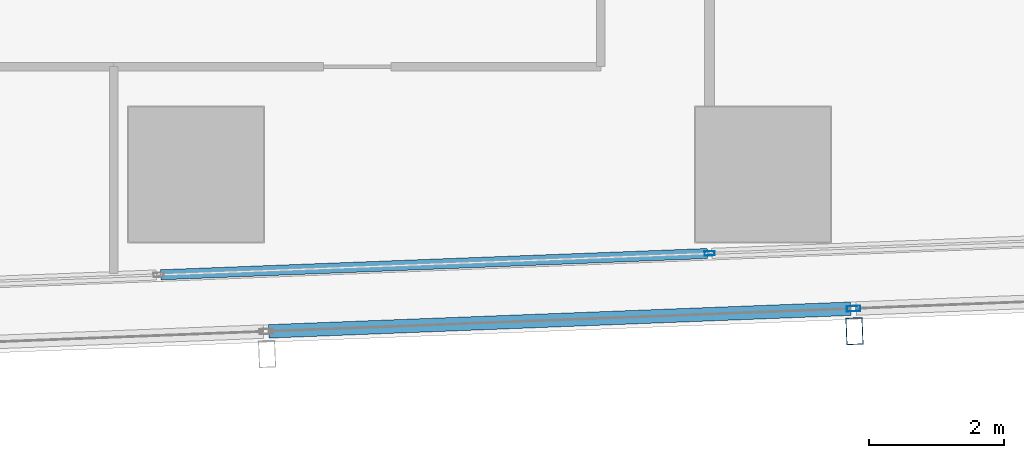
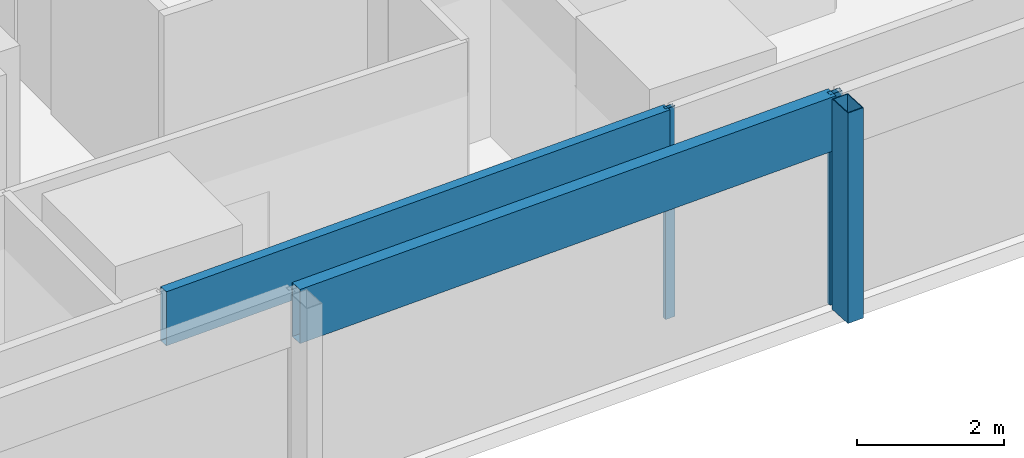
# One storey, part 11 of 39: 5 members, 2 elements without a shape of their own.
"""IFC4 building model written with IfcOpenShell, lengths in metres."""

from ifc_helpers import new_model, si_unit, direction, frame, origin, origin_2d, place, context, subcontext, project, spatial, hollow_rectangle, extrude, material, material_profile, profile_set, type_object, element, aggregate, save


model = new_model("IFC4")

# Units and contexts
model_context = context("Model", 3, precision=1e-05, world=origin(), true_north=direction((0.0, 1.0)))
body_context = subcontext(model_context, "Body", "Model", "MODEL_VIEW")
ifc_project = project(units=[si_unit("LENGTHUNIT", "METRE"), si_unit("AREAUNIT", "SQUARE_METRE"), si_unit("VOLUMEUNIT", "CUBIC_METRE"), si_unit("PLANEANGLEUNIT", "RADIAN"), si_unit("MASSUNIT", "GRAM", prefix="KILO")], contexts=[model_context])

# Site, building, storey
site_placement = place(None, origin())
site = spatial("IfcSite", under=ifc_project, at=site_placement, CompositionType="ELEMENT")
building_placement = place(site_placement, origin())
building = spatial("IfcBuilding", under=site, at=building_placement, Name="Rekha Terrace Tower", CompositionType="ELEMENT")
storey_placement = place(building_placement, frame((0.0, 0.0, 151.550048828125)))
storey = spatial("IfcBuildingStorey", under=building, at=storey_placement, Name="L38", CompositionType="ELEMENT", Elevation=151.550048828125)

# Curtain wall, member
ifc_material_1 = material(Name="Aluminium framing", Category="aluminium")
curtain_wall_type_1 = type_object("IfcCurtainWallType", Name="CW2 double skin outer glazing", PredefinedType="USERDEFINED", material=ifc_material_1)
curtain_wall_1_placement = place(storey_placement, origin())
curtain_wall_1 = element("IfcCurtainWall", 1, at=curtain_wall_1_placement, inside=storey, type_object=curtain_wall_type_1, Name="CW2 double skin outer glazing", ObjectType="DOUBLE SKIN OUTER GLAZING", PredefinedType="USERDEFINED")
ifc_material_2 = material(Name="Steel S355 with fluorocarbon finish", Category="steel")
ifc_material_profile_1 = material_profile(ifc_material_2, hollow_rectangle(XDim=0.25, YDim=0.39990234375, WallThickness=0.012451171875, at=origin_2d()), Name="RHS400x250x12.5")
ifc_profile_set_1 = profile_set([ifc_material_profile_1], Name="Steel S355 with fluorocarbon finish")
member_type_1 = type_object("IfcMemberType", Name="BL1 facade blade RHS 400 x 250", PredefinedType="USERDEFINED", material=ifc_profile_set_1)
member_1_placement = place(storey_placement, frame((60.1572265625, 14.480712890625, 0.0), z_axis=(0.0, 0.0, 1.0), x_axis=(0.999243494356, 0.038890088543, 0.0)))
member_1 = element("IfcMember", 2, at=member_1_placement, type_object=member_type_1, Name="Facade blade", ObjectType="FACADE BLADE", PredefinedType="USERDEFINED", context=body_context, shape_type="SweptSolid", body=[
    extrude(hollow_rectangle(XDim=0.25, YDim=0.39990234375, WallThickness=0.012451171875, at=origin_2d()), origin(), (0.0, 0.0, 1.0), 3.5),
])

# Curtain wall, members
curtain_wall_type_2 = type_object("IfcCurtainWallType", Name="CW1 double skin inner glazing", PredefinedType="USERDEFINED", material=ifc_material_1)
curtain_wall_2_placement = place(storey_placement, origin())
curtain_wall_2 = element("IfcCurtainWall", 3, at=curtain_wall_2_placement, inside=storey, type_object=curtain_wall_type_2, Name="CW1 double skin inner glazing", ObjectType="DOUBLE SKIN INNER GLAZING", PredefinedType="USERDEFINED")
ifc_material_3 = material(Name="Aluminium mullion section", Category="aluminium")
ifc_material_profile_2 = material_profile(ifc_material_3, hollow_rectangle(XDim=0.06494140625, YDim=0.14990234375, WallThickness=0.00390625, at=origin_2d()), Name="AL RHS 65x150")
ifc_profile_set_2 = profile_set([ifc_material_profile_2], Name="Aluminium mullion section")
member_type_2 = type_object("IfcMemberType", Name="CW1 mullion RHS 65 x 150", PredefinedType="MULLION", material=ifc_profile_set_2)
member_2_placement = place(storey_placement, frame((58.010498046875, 15.633056640625, 0.0), z_axis=(0.0, 0.0, 1.0), x_axis=(-0.038889971328, 0.999243498918, 0.0)))
member_2 = element("IfcMember", 4, at=member_2_placement, type_object=member_type_2, Name="CW1 mullion 5", PredefinedType="MULLION", context=body_context, shape_type="SweptSolid", body=[
    extrude(hollow_rectangle(XDim=0.06494140625, YDim=0.14990234375, WallThickness=0.00390625, at=origin_2d()), origin(), (0.0, 0.0, 1.0), 3.5),
])
ifc_material_4 = material(Name="Insulated aluminium spandrel box", Category="aluminium")
ifc_material_profile_3 = material_profile(ifc_material_4, hollow_rectangle(XDim=0.14990234375, YDim=0.89990234375, WallThickness=0.0029296875, at=origin_2d()), Name="AL SPANDREL BOX 150x900")
ifc_profile_set_3 = profile_set([ifc_material_profile_3], Name="Insulated aluminium spandrel box")
member_type_3 = type_object("IfcMemberType", Name="CW1 spandrel transom 150 x 900", PredefinedType="USERDEFINED", material=ifc_profile_set_3)
member_3_placement = place(storey_placement, frame((49.877197265625, 15.316650390625, 3.050048828125), z_axis=(0.999243949495, 0.038878392417, 0.0), x_axis=(-0.038878392417, 0.999243949495, 0.0)))
member_3 = element("IfcMember", 5, at=member_3_placement, type_object=member_type_3, Name="CW1 spandrel transom 4", ObjectType="TRANSOM", PredefinedType="USERDEFINED", context=body_context, shape_type="SweptSolid", body=[
    extrude(hollow_rectangle(XDim=0.14990234375, YDim=0.89990234375, WallThickness=0.0029296875, at=origin_2d()), origin(), (0.0, 0.0, 1.0), 8.10693359375),
])
aggregate(curtain_wall_2, [member_2, member_3])

# Member
ifc_material_profile_4 = material_profile(ifc_material_3, hollow_rectangle(XDim=0.080078125, YDim=0.199951171875, WallThickness=0.00390625, at=origin_2d()), Name="AL RHS 80x200")
ifc_profile_set_4 = profile_set([ifc_material_profile_4], Name="Aluminium mullion section")
member_type_4 = type_object("IfcMemberType", Name="CW2 mullion RHS 80 x 200", PredefinedType="MULLION", material=ifc_profile_set_4)
member_4_placement = place(storey_placement, frame((60.14404296875, 14.8154296875, 0.0), z_axis=(0.0, 0.0, 1.0), x_axis=(-0.038889971345, 0.999243498917, 0.0)))
member_4 = element("IfcMember", 6, at=member_4_placement, type_object=member_type_4, Name="CW2 mullion 5", PredefinedType="MULLION", context=body_context, shape_type="SweptSolid", body=[
    extrude(hollow_rectangle(XDim=0.080078125, YDim=0.199951171875, WallThickness=0.00390625, at=origin_2d()), origin(), (0.0, 0.0, 1.0), 3.5),
])

ifc_material_profile_5 = material_profile(ifc_material_4, hollow_rectangle(XDim=0.199951171875, YDim=0.89990234375, WallThickness=0.0029296875, at=origin_2d()), Name="AL SPANDREL BOX 200x900")
ifc_profile_set_5 = profile_set([ifc_material_profile_5], Name="Insulated aluminium spandrel box")
member_type_5 = type_object("IfcMemberType", Name="CW2 spandrel transom 200 x 900", PredefinedType="USERDEFINED", material=ifc_profile_set_5)
member_5_placement = place(storey_placement, frame((51.47900390625, 14.478271484375, 3.050048828125), z_axis=(0.999243481303, 0.038890423923, 0.0), x_axis=(-0.038890423923, 0.999243481303, 0.0)))
member_5 = element("IfcMember", 7, at=member_5_placement, type_object=member_type_5, Name="CW2 spandrel transom 4", ObjectType="TRANSOM", PredefinedType="USERDEFINED", context=body_context, shape_type="SweptSolid", body=[
    extrude(hollow_rectangle(XDim=0.199951171875, YDim=0.89990234375, WallThickness=0.0029296875, at=origin_2d()), origin(), (0.0, 0.0, 1.0), 8.6318359375),
])

aggregate(curtain_wall_1, [member_4, member_5, member_1])

save(model, "model.ifc")
